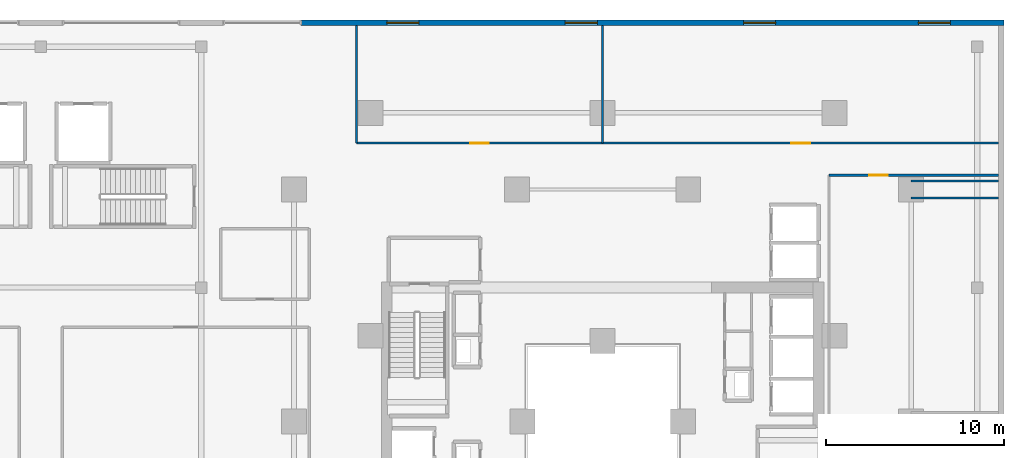
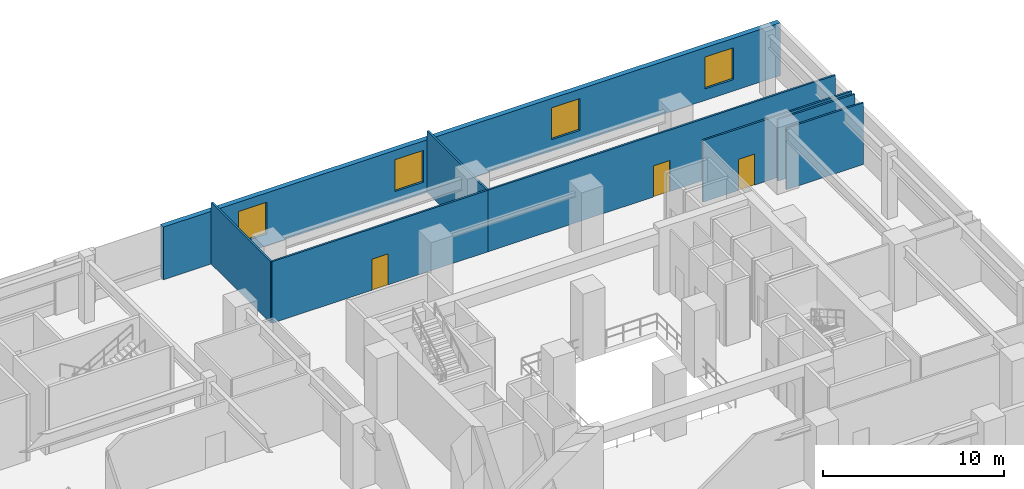
# One storey, part 17 of 22: 8 walls, 4 windows, 3 doors, 7 openings.
"""IFC4 building model written with IfcOpenShell, lengths in metres."""

from ifc_helpers import new_model, si_unit, direction, frame, frame_2d, origin, place, context, subcontext, project, spatial, rectangle, extrude, material, layer, layer_set, type_object, element, fill, save


model = new_model("IFC4")

# Units and contexts
model_context = context("Model", 3, precision=1e-05, world=origin(), true_north=direction((0.0, 1.0)))
body_context = subcontext(model_context, "Body", "Model", "MODEL_VIEW")
ifc_project = project(units=[si_unit("LENGTHUNIT", "METRE"), si_unit("AREAUNIT", "SQUARE_METRE"), si_unit("VOLUMEUNIT", "CUBIC_METRE"), si_unit("PLANEANGLEUNIT", "RADIAN"), si_unit("MASSUNIT", "GRAM", prefix="KILO")], contexts=[model_context])

# Site, building, storey
site_placement = place(None, origin())
site = spatial("IfcSite", under=ifc_project, at=site_placement, CompositionType="ELEMENT")
building_placement = place(site_placement, origin())
building = spatial("IfcBuilding", under=site, at=building_placement, Name="Thornwick Lancets Civic Towers", CompositionType="ELEMENT")
storey_placement = place(building_placement, frame((0.0, 0.0, 18.60009765625)))
storey = spatial("IfcBuildingStorey", under=building, at=storey_placement, Name="L04", CompositionType="ELEMENT", Elevation=18.60009765625)

# Wall, openings, windows
ifc_material_1 = material(Name="Insulated buff terracotta rainscreen on concrete C40/50", Category="masonry")
ifc_layer_1 = layer(ifc_material_1, 0.320068359375, Name="Insulated buff terracotta rainscreen on concrete C40/50")
ifc_layer_set_1 = layer_set([ifc_layer_1], Name="Insulated buff terracotta rainscreen on concrete C40/50")
wall_type_1 = type_object("IfcWallType", Name="WALL_EXT_TERRA_320", PredefinedType="STANDARD", material=ifc_layer_set_1)
wall_1_placement = place(storey_placement, frame((111.0, 49.340087890625, 0.0), z_axis=(0.0, 0.0, 1.0), x_axis=(-1.0, 0.0, 0.0)))
wall_1 = element("IfcWall", 1, at=wall_1_placement, inside=storey, type_object=wall_type_1, Name="L04 Podium North-East Facade Wall", PredefinedType="STANDARD", context=body_context, shape_type="SweptSolid", body=[
    extrude(rectangle(XDim=39.39990234375, YDim=0.320068359375, at=frame_2d((19.699951171875, 0.0))), origin(), (0.0, 0.0, 1.0), 3.559814453125),
])
opening_1_placement = place(wall_1_placement, frame((3.0, 0.0, 0.780029296875)))
opening_1 = element("IfcOpeningElement", 2, at=opening_1_placement, cuts=wall_1, Name="Opening WP-18", PredefinedType="OPENING", context=body_context, shape_type="SweptSolid", body=[
    extrude(rectangle(XDim=1.800048828125, YDim=2.14990234375, at=frame_2d((0.89990234375, 1.074951171875))), frame((0.0, 0.169921875, 0.0), z_axis=(0.0, -1.0, 0.0), x_axis=(1.0, 0.0, 0.0)), (0.0, 0.0, 1.0), 0.340087890625),
])
opening_2_placement = place(wall_1_placement, frame((12.800048828125, 0.0, 0.780029296875)))
opening_2 = element("IfcOpeningElement", 3, at=opening_2_placement, cuts=wall_1, Name="Opening WP-18", PredefinedType="OPENING", context=body_context, shape_type="SweptSolid", body=[
    extrude(rectangle(XDim=1.800048828125, YDim=2.14990234375, at=frame_2d((0.89990234375, 1.074951171875))), frame((0.0, 0.169921875, 0.0), z_axis=(0.0, -1.0, 0.0), x_axis=(1.0, 0.0, 0.0)), (0.0, 0.0, 1.0), 0.340087890625),
])
opening_3_placement = place(wall_1_placement, frame((22.800048828125, 0.0, 0.780029296875)))
opening_3 = element("IfcOpeningElement", 4, at=opening_3_placement, cuts=wall_1, Name="Opening WP-18", PredefinedType="OPENING", context=body_context, shape_type="SweptSolid", body=[
    extrude(rectangle(XDim=1.800048828125, YDim=2.14990234375, at=frame_2d((0.89990234375, 1.074951171875))), frame((0.0, 0.169921875, 0.0), z_axis=(0.0, -1.0, 0.0), x_axis=(1.0, 0.0, 0.0)), (0.0, 0.0, 1.0), 0.340087890625),
])
opening_4_placement = place(wall_1_placement, frame((32.800048828125, 0.0, 0.780029296875)))
opening_4 = element("IfcOpeningElement", 5, at=opening_4_placement, cuts=wall_1, Name="Opening WP-18", PredefinedType="OPENING", context=body_context, shape_type="SweptSolid", body=[
    extrude(rectangle(XDim=1.800048828125, YDim=2.14990234375, at=frame_2d((0.89990234375, 1.074951171875))), frame((0.0, 0.169921875, 0.0), z_axis=(0.0, -1.0, 0.0), x_axis=(1.0, 0.0, 0.0)), (0.0, 0.0, 1.0), 0.340087890625),
])
ifc_material_2 = material(Name="Pointed lancet clear glass window", Category="glass")
window_type = type_object("IfcWindowType", Name="WIN_PODIUM_1800", PartitioningType="SINGLE_PANEL", PredefinedType="WINDOW", material=ifc_material_2)
window_1_placement = place(opening_1_placement, origin())
window_1 = element("IfcWindow", 6, at=window_1_placement, inside=storey, type_object=window_type, Name="L04 Podium Lancet Window 1", OverallHeight=2.14990234375, OverallWidth=1.800048828125, PartitioningType="SINGLE_PANEL", PredefinedType="WINDOW", context=body_context, shape_type="SweptSolid", body=[
    extrude(rectangle(XDim=1.800048828125, YDim=2.14990234375, at=frame_2d((0.89990234375, 1.074951171875))), frame((0.0, 0.030029296875, 0.0), z_axis=(0.0, -1.0, 0.0), x_axis=(1.0, 0.0, 0.0)), (0.0, 0.0, 1.0), 0.06005859375),
])
fill(opening_1, window_1)
window_2_placement = place(opening_2_placement, origin())
window_2 = element("IfcWindow", 7, at=window_2_placement, inside=storey, type_object=window_type, Name="L04 Podium Lancet Window 2", OverallHeight=2.14990234375, OverallWidth=1.800048828125, PartitioningType="SINGLE_PANEL", PredefinedType="WINDOW", context=body_context, shape_type="SweptSolid", body=[
    extrude(rectangle(XDim=1.800048828125, YDim=2.14990234375, at=frame_2d((0.89990234375, 1.074951171875))), frame((0.0, 0.030029296875, 0.0), z_axis=(0.0, -1.0, 0.0), x_axis=(1.0, 0.0, 0.0)), (0.0, 0.0, 1.0), 0.06005859375),
])
fill(opening_2, window_2)
window_3_placement = place(opening_3_placement, origin())
window_3 = element("IfcWindow", 8, at=window_3_placement, inside=storey, type_object=window_type, Name="L04 Podium Lancet Window 3", OverallHeight=2.14990234375, OverallWidth=1.800048828125, PartitioningType="SINGLE_PANEL", PredefinedType="WINDOW", context=body_context, shape_type="SweptSolid", body=[
    extrude(rectangle(XDim=1.800048828125, YDim=2.14990234375, at=frame_2d((0.89990234375, 1.074951171875))), frame((0.0, 0.030029296875, 0.0), z_axis=(0.0, -1.0, 0.0), x_axis=(1.0, 0.0, 0.0)), (0.0, 0.0, 1.0), 0.06005859375),
])
fill(opening_3, window_3)
window_4_placement = place(opening_4_placement, origin())
window_4 = element("IfcWindow", 9, at=window_4_placement, inside=storey, type_object=window_type, Name="L04 Podium Lancet Window 4", OverallHeight=2.14990234375, OverallWidth=1.800048828125, PartitioningType="SINGLE_PANEL", PredefinedType="WINDOW", context=body_context, shape_type="SweptSolid", body=[
    extrude(rectangle(XDim=1.800048828125, YDim=2.14990234375, at=frame_2d((0.89990234375, 1.074951171875))), frame((0.0, 0.030029296875, 0.0), z_axis=(0.0, -1.0, 0.0), x_axis=(1.0, 0.0, 0.0)), (0.0, 0.0, 1.0), 0.06005859375),
])
fill(opening_4, window_4)

# Wall, opening, door
ifc_material_3 = material(Name="Acoustic gypsum board partition")
ifc_layer_2 = layer(ifc_material_3, 0.1201171875, Name="Acoustic gypsum board partition")
ifc_layer_set_2 = layer_set([ifc_layer_2], Name="Acoustic gypsum board partition")
wall_type_2 = type_object("IfcWallType", Name="WALL_PART_120", PredefinedType="PARTITIONING", material=ifc_layer_set_2)
wall_2_placement = place(storey_placement, frame((101.199951171875, 40.800048828125, 0.0), z_axis=(0.0, 0.0, 1.0), x_axis=(1.0, 0.0, 0.0)))
wall_2 = element("IfcWall", 10, at=wall_2_placement, inside=storey, type_object=wall_type_2, Name="L04 Partition L04-ESUITE E4", PredefinedType="PARTITIONING", context=body_context, shape_type="SweptSolid", body=[
    extrude(rectangle(XDim=9.5, YDim=0.1201171875, at=frame_2d((4.75, 0.0))), origin(), (0.0, 0.0, 1.0), 4.159912109375),
])
opening_5_placement = place(wall_2_placement, frame((2.2451171875, 0.0, 0.0)))
opening_5 = element("IfcOpeningElement", 11, at=opening_5_placement, cuts=wall_2, Name="Opening D-L04-0262", PredefinedType="OPENING", context=body_context, shape_type="SweptSolid", body=[
    extrude(rectangle(XDim=1.050048828125, YDim=2.10009765625, at=frame_2d((0.52490234375, 1.050048828125))), frame((0.0, 0.070068359375, 0.0), z_axis=(0.0, -1.0, 0.0), x_axis=(1.0, 0.0, 0.0)), (0.0, 0.0, 1.0), 0.14013671875),
])
ifc_material_4 = material(Name="Glazed European oak executive doorset")
door_type = type_object("IfcDoorType", Name="DOOR_OFFICE_1050", OperationType="NOTDEFINED", PredefinedType="DOOR", material=ifc_material_4)
door_1_placement = place(opening_5_placement, origin())
door_1 = element("IfcDoor", 12, at=door_1_placement, inside=storey, type_object=door_type, Name="L04 East Advisory Suite Door", OperationType="SINGLE_SWING_LEFT", OverallHeight=2.10009765625, OverallWidth=1.050048828125, PredefinedType="DOOR", context=body_context, shape_type="SweptSolid", body=[
    extrude(rectangle(XDim=1.050048828125, YDim=2.10009765625, at=frame_2d((0.52490234375, 1.050048828125))), frame((0.0, 0.02490234375, 0.0), z_axis=(0.0, -1.0, 0.0), x_axis=(1.0, 0.0, 0.0)), (0.0, 0.0, 1.0), 0.050048828125),
])
fill(opening_5, door_1)

# Walls
for number, where, z_axis, x_axis, name in (
    (13, (110.699951171875, 40.47998046875, 0.0), (0.0, 0.0, 1.0), (-1.0, 0.0, 0.0), "L04 Partition L04-ESUITE E6"),
    (14, (105.800048828125, 39.52001953125, 0.0), (0.0, 0.0, 1.0), (1.0, 0.0, 0.0), "L04 Partition L04-ESUITE E8"),
):
    element("IfcWall", number, at=place(storey_placement, frame(where, z_axis=z_axis, x_axis=x_axis)), inside=storey, type_object=wall_type_2, Name=name, PredefinedType="PARTITIONING", context=body_context, shape_type="SweptSolid", body=[
        extrude(rectangle(XDim=4.89990234375, YDim=0.1201171875, at=frame_2d((2.449951171875, 0.0))), origin(), (0.0, 0.0, 1.0), 4.159912109375),
    ])
wall_3_placement = place(storey_placement, frame((88.5, 49.179931640625, 0.0), z_axis=(0.0, 0.0, 1.0), x_axis=(0.0, -1.0, 0.0)))
element("IfcWall", 15, at=wall_3_placement, inside=storey, type_object=wall_type_2, Name="L04 Partition L04-OFFNC E2", PredefinedType="PARTITIONING", context=body_context, shape_type="SweptSolid", body=[
    extrude(rectangle(XDim=6.579833984375, YDim=0.1201171875, at=frame_2d((3.2900390625, 0.0))), origin(), (0.0, 0.0, 1.0), 4.159912109375),
])

# Wall, opening, door
wall_4_placement = place(storey_placement, frame((88.5, 42.60009765625, 0.0), z_axis=(0.0, 0.0, 1.0), x_axis=(-1.0, 0.0, 0.0)))
wall_4 = element("IfcWall", 16, at=wall_4_placement, inside=storey, type_object=wall_type_2, Name="L04 Partition L04-OFFNC E3", PredefinedType="PARTITIONING", context=body_context, shape_type="SweptSolid", body=[
    extrude(rectangle(XDim=13.800048828125, YDim=0.1201171875, at=frame_2d((6.89990234375, 0.0))), origin(), (0.0, 0.0, 1.0), 4.159912109375),
])
opening_6_placement = place(wall_4_placement, frame((6.375, 0.0, 0.0)))
opening_6 = element("IfcOpeningElement", 17, at=opening_6_placement, cuts=wall_4, Name="Opening D-L04-0268", PredefinedType="OPENING", context=body_context, shape_type="SweptSolid", body=[
    extrude(rectangle(XDim=1.050048828125, YDim=2.10009765625, at=frame_2d((0.52490234375, 1.050048828125))), frame((0.0, 0.070068359375, 0.0), z_axis=(0.0, -1.0, 0.0), x_axis=(1.0, 0.0, 0.0)), (0.0, 0.0, 1.0), 0.14013671875),
])
door_2_placement = place(opening_6_placement, origin())
door_2 = element("IfcDoor", 18, at=door_2_placement, inside=storey, type_object=door_type, Name="L04 North Secretariat Division Door", OperationType="SINGLE_SWING_LEFT", OverallHeight=2.10009765625, OverallWidth=1.050048828125, PredefinedType="DOOR", context=body_context, shape_type="SweptSolid", body=[
    extrude(rectangle(XDim=1.050048828125, YDim=2.10009765625, at=frame_2d((0.52490234375, 1.050048828125))), frame((0.0, 0.02490234375, 0.0), z_axis=(0.0, -1.0, 0.0), x_axis=(1.0, 0.0, 0.0)), (0.0, 0.0, 1.0), 0.050048828125),
])
fill(opening_6, door_2)

# Wall
wall_5_placement = place(storey_placement, frame((74.699951171875, 42.60009765625, 0.0), z_axis=(0.0, 0.0, 1.0), x_axis=(0.0, 1.0, 0.0)))
element("IfcWall", 19, at=wall_5_placement, inside=storey, type_object=wall_type_2, Name="L04 Partition L04-OFFNC E4", PredefinedType="PARTITIONING", context=body_context, shape_type="SweptSolid", body=[
    extrude(rectangle(XDim=6.579833984375, YDim=0.1201171875, at=frame_2d((3.2900390625, 0.0))), origin(), (0.0, 0.0, 1.0), 4.159912109375),
])

# Wall, opening, door
wall_6_placement = place(storey_placement, frame((110.699951171875, 42.60009765625, 0.0), z_axis=(0.0, 0.0, 1.0), x_axis=(-1.0, 0.0, 0.0)))
wall_6 = element("IfcWall", 20, at=wall_6_placement, inside=storey, type_object=wall_type_2, Name="L04 Partition L04-OFFNE E3", PredefinedType="PARTITIONING", context=body_context, shape_type="SweptSolid", body=[
    extrude(rectangle(XDim=22.199951171875, YDim=0.1201171875, at=frame_2d((11.10009765625, 0.0))), origin(), (0.0, 0.0, 1.0), 4.159912109375),
])
opening_7_placement = place(wall_6_placement, frame((10.574951171875, 0.0, 0.0)))
opening_7 = element("IfcOpeningElement", 21, at=opening_7_placement, cuts=wall_6, Name="Opening D-L04-0269", PredefinedType="OPENING", context=body_context, shape_type="SweptSolid", body=[
    extrude(rectangle(XDim=1.050048828125, YDim=2.10009765625, at=frame_2d((0.52490234375, 1.050048828125))), frame((0.0, 0.070068359375, 0.0), z_axis=(0.0, -1.0, 0.0), x_axis=(1.0, 0.0, 0.0)), (0.0, 0.0, 1.0), 0.14013671875),
])
door_3_placement = place(opening_7_placement, origin())
door_3 = element("IfcDoor", 22, at=door_3_placement, inside=storey, type_object=door_type, Name="L04 North-East Directorate Suite Door", OperationType="SINGLE_SWING_RIGHT", OverallHeight=2.10009765625, OverallWidth=1.050048828125, PredefinedType="DOOR", context=body_context, shape_type="SweptSolid", body=[
    extrude(rectangle(XDim=1.050048828125, YDim=2.10009765625, at=frame_2d((0.52490234375, 1.050048828125))), frame((0.0, 0.02490234375, 0.0), z_axis=(0.0, -1.0, 0.0), x_axis=(1.0, 0.0, 0.0)), (0.0, 0.0, 1.0), 0.050048828125),
])
fill(opening_7, door_3)

save(model, "model.ifc")
